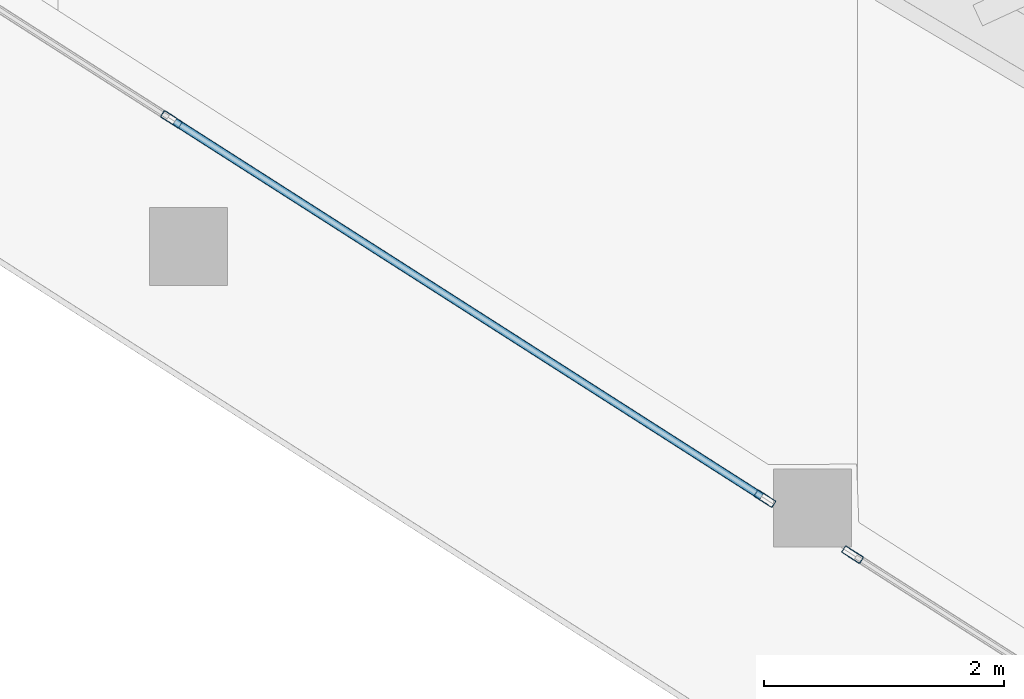
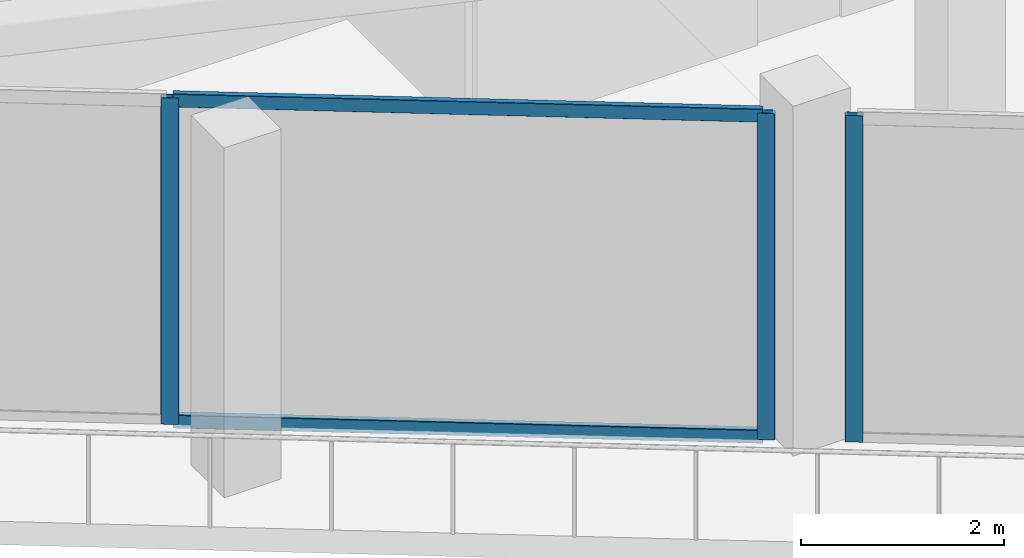
# One storey, part 5 of 45: 5 members, 2 elements without a shape of their own.
"""IFC4 building model written with IfcOpenShell, lengths in metres."""

from ifc_helpers import new_model, si_unit, direction, frame, origin, origin_2d, place, context, subcontext, project, spatial, hollow_rectangle, extrude, material, layer, layer_set, material_profile, profile_set, type_object, element, aggregate, save


model = new_model("IFC4")

# Units and contexts
model_context = context("Model", 3, precision=1e-05, world=origin(), true_north=direction((0.0, 1.0)))
body_context = subcontext(model_context, "Body", "Model", "MODEL_VIEW")
ifc_project = project(units=[si_unit("LENGTHUNIT", "METRE"), si_unit("AREAUNIT", "SQUARE_METRE"), si_unit("VOLUMEUNIT", "CUBIC_METRE"), si_unit("PLANEANGLEUNIT", "RADIAN"), si_unit("MASSUNIT", "GRAM", prefix="KILO")], contexts=[model_context])

# Site, building, storey
site_placement = place(None, origin())
site = spatial("IfcSite", under=ifc_project, at=site_placement, CompositionType="ELEMENT")
building_placement = place(site_placement, origin())
building = spatial("IfcBuilding", under=site, at=building_placement, Name="Qorvath Tower", CompositionType="ELEMENT")
storey_placement = place(building_placement, frame((0.0, 0.0, 49.199951171875)))
storey = spatial("IfcBuildingStorey", under=building, at=storey_placement, Name="L10", CompositionType="ELEMENT", Elevation=49.199951171875)

# Curtain wall, members
ifc_material_1 = material(Name="Anodised aluminium and triple low-E glass", Category="aluminium")
ifc_layer = layer(ifc_material_1, 0.179931640625)
ifc_layer_set = layer_set([ifc_layer], Name="CW-SYS-2")
curtain_wall_type = type_object("IfcCurtainWallType", Name="CW-SYS-2", PredefinedType="NOTDEFINED", material=ifc_layer_set)
curtain_wall_1_placement = place(storey_placement, origin())
curtain_wall_1 = element("IfcCurtainWall", 1, at=curtain_wall_1_placement, inside=storey, type_object=curtain_wall_type, Name="Curtain Wall CW-2 CW-T-L10-2.1", PredefinedType="NOTDEFINED")
ifc_material_2 = material(Name="Anodised aluminium 6063-T6", Category="aluminium")
ifc_material_profile_1 = material_profile(ifc_material_2, hollow_rectangle(XDim=0.06494140625, YDim=0.179931640625, WallThickness=0.00341796875, InnerFilletRadius=0.00341796875, OuterFilletRadius=0.007080078125, at=origin_2d()), Name="CWM 180x65")
ifc_profile_set_1 = profile_set([ifc_material_profile_1], Name="Anodised aluminium 6063-T6")
member_type_1 = type_object("IfcMemberType", Name="CWM-180", PredefinedType="MULLION", material=ifc_profile_set_1)
member_1_placement = place(storey_placement, frame((-45.677001953125, -13.71435546875, 0.0), z_axis=(0.0, 0.0, 1.0), x_axis=(0.538531853978, 0.842605152044, 0.0)))
member_1 = element("IfcMember", 2, at=member_1_placement, type_object=member_type_1, Name="CW-2 mullion 4", PredefinedType="MULLION", context=body_context, shape_type="SweptSolid", body=[
    extrude(hollow_rectangle(XDim=0.06494140625, YDim=0.179931640625, WallThickness=0.00341796875, InnerFilletRadius=0.00341796875, OuterFilletRadius=0.007080078125, at=origin_2d()), origin(), (0.0, 0.0, 1.0), 3.920166015625),
])
member_2_placement = place(storey_placement, frame((-40.729736328125, -16.876220703125, 0.0), z_axis=(0.0, 0.0, 1.0), x_axis=(0.538531853978, 0.842605152044, 0.0)))
member_2 = element("IfcMember", 3, at=member_2_placement, type_object=member_type_1, Name="CW-2 mullion 5", PredefinedType="MULLION", context=body_context, shape_type="SweptSolid", body=[
    extrude(hollow_rectangle(XDim=0.06494140625, YDim=0.179931640625, WallThickness=0.00341796875, InnerFilletRadius=0.00341796875, OuterFilletRadius=0.007080078125, at=origin_2d()), origin(), (0.0, 0.0, 1.0), 3.920166015625),
])

# Curtain wall, member
curtain_wall_2_placement = place(storey_placement, origin())
curtain_wall_2 = element("IfcCurtainWall", 4, at=curtain_wall_2_placement, inside=storey, type_object=curtain_wall_type, Name="Curtain Wall CW-2 CW-T-L10-2.2", PredefinedType="NOTDEFINED")
member_3_placement = place(storey_placement, frame((-39.999267578125, -17.34326171875, 0.0), z_axis=(0.0, 0.0, 1.0), x_axis=(0.538536571861, 0.842602136698, 0.0)))
member_3 = element("IfcMember", 5, at=member_3_placement, type_object=member_type_1, Name="CW-2 mullion 1", PredefinedType="MULLION", context=body_context, shape_type="SweptSolid", body=[
    extrude(hollow_rectangle(XDim=0.06494140625, YDim=0.179931640625, WallThickness=0.00341796875, InnerFilletRadius=0.00341796875, OuterFilletRadius=0.007080078125, at=origin_2d()), origin(), (0.0, 0.0, 1.0), 3.920166015625),
])
aggregate(curtain_wall_2, [member_3])

# Member
ifc_material_3 = material(Name="Anodised aluminium 6063-T6", Category="aluminium")
ifc_material_profile_2 = material_profile(ifc_material_3, hollow_rectangle(XDim=0.06494140625, YDim=0.159912109375, WallThickness=0.00341796875, InnerFilletRadius=0.00341796875, OuterFilletRadius=0.007080078125, at=origin_2d()), Name="CWT 160x65")
ifc_profile_set_2 = profile_set([ifc_material_profile_2], Name="Anodised aluminium 6063-T6")
member_type_2 = type_object("IfcMemberType", Name="CWT-160", PredefinedType="USERDEFINED", material=ifc_profile_set_2)
member_4_placement = place(storey_placement, frame((-45.649658203125, -13.73193359375, 0.032470703125), z_axis=(0.842607225398, -0.538528609925, 0.0), x_axis=(0.538528609925, 0.842607225398, 0.0)))
member_4 = element("IfcMember", 6, at=member_4_placement, type_object=member_type_2, Name="CW-2 transom 4.1", ObjectType="TRANSOM", PredefinedType="USERDEFINED", context=body_context, shape_type="SweptSolid", body=[
    extrude(hollow_rectangle(XDim=0.06494140625, YDim=0.159912109375, WallThickness=0.00341796875, InnerFilletRadius=0.00341796875, OuterFilletRadius=0.007080078125, at=origin_2d()), origin(), (0.0, 0.0, 1.0), 5.806396484375),
])

member_5_placement = place(storey_placement, frame((-45.649658203125, -13.73193359375, 3.8876953125), z_axis=(0.842607225398, -0.538528609925, 0.0), x_axis=(0.538528609925, 0.842607225398, 0.0)))
member_5 = element("IfcMember", 7, at=member_5_placement, type_object=member_type_2, Name="CW-2 transom 4.2", ObjectType="TRANSOM", PredefinedType="USERDEFINED", context=body_context, shape_type="SweptSolid", body=[
    extrude(hollow_rectangle(XDim=0.06494140625, YDim=0.159912109375, WallThickness=0.00341796875, InnerFilletRadius=0.00341796875, OuterFilletRadius=0.007080078125, at=origin_2d()), origin(), (0.0, 0.0, 1.0), 5.806396484375),
])

aggregate(curtain_wall_1, [member_1, member_2, member_4, member_5])

save(model, "model.ifc")
